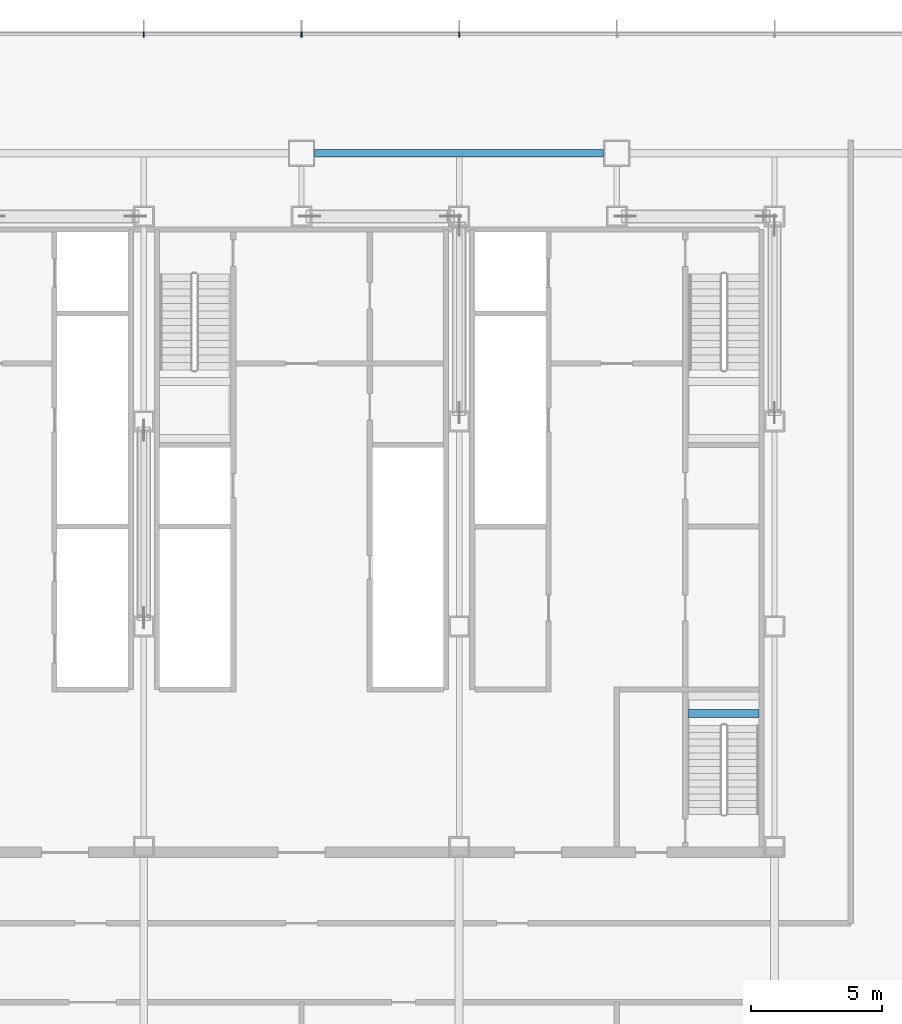
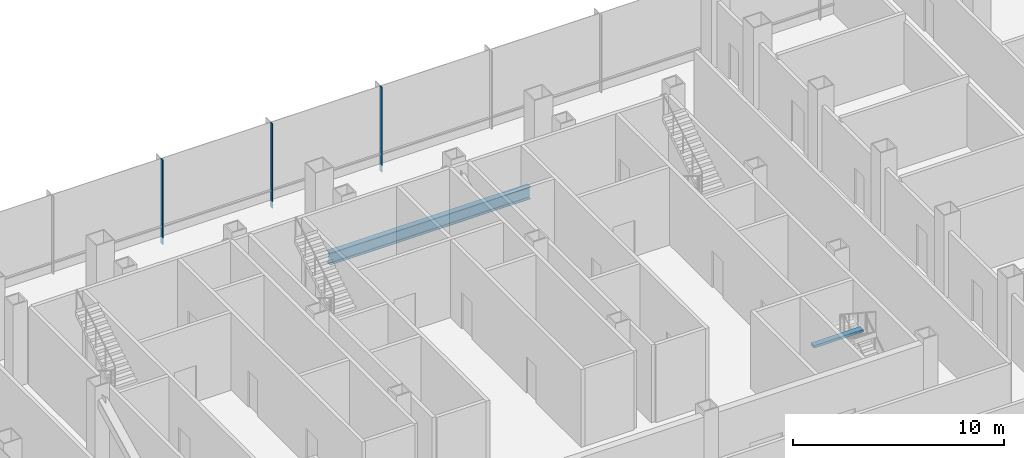
# One storey, part 14 of 34: 3 members, 2 beams, 1 element without a shape of its own.
"""IFC4 building model written with IfcOpenShell, lengths in metres."""

import ifcopenshell
import ifcopenshell.guid

model = None  # the IFC model being written
_history = None  # IfcOwnerHistory: only IFC2X3 demands one
_inside = {}  # id of a spatial element -> (the spatial element, [elements in it])
_under = {}  # id of a project, library or spatial element -> (it, [spatial elements below it])
_declared = {}  # id of a project -> (the project, [libraries it declares])
_typed = {}  # id of a type object -> (the type object, [elements of that type])
_made_of = {}  # id of a material, layer set ... -> (it, [elements and type objects made of it])


def new_model(schema):
    """Start an empty IFC model of exactly this schema.

    Asked for "IFC4X3", IfcOpenShell would pick the latest addendum, in which some entities
    have other attributes; the version numbers below select the first issue.
    IFC2X3 requires an IfcOwnerHistory on every rooted entity: one is made here for all.
    """
    global model, _history
    if schema == "IFC4X3":
        model = ifcopenshell.file(schema_version=(4, 3, 0, 0))
    else:
        model = ifcopenshell.file(schema=schema)
    _inside.clear()
    _under.clear()
    _declared.clear()
    _typed.clear()
    _made_of.clear()
    _history = None
    if model.schema == "IFC2X3":
        org = make("IfcOrganization", Name="unknown")
        user = make(
            "IfcPersonAndOrganization",
            ThePerson=make("IfcPerson", FamilyName="unknown"),
            TheOrganization=org,
        )
        app = make(
            "IfcApplication",
            ApplicationDeveloper=org,
            Version="unknown",
            ApplicationFullName="unknown",
            ApplicationIdentifier="unknown",
        )
        _history = make(
            "IfcOwnerHistory",
            OwningUser=user,
            OwningApplication=app,
            ChangeAction="ADDED",
            CreationDate=0,
        )
    return model


def make(cls, **values):
    """One entity of the class cls with the attributes given. An attribute that is None is left unset."""
    return model.create_entity(
        cls, **{name: value for name, value in values.items() if value is not None}
    )


def rooted(cls, **values):
    """An entity with a GlobalId (a new one), such as an element, a storey or a relation."""
    return make(cls, GlobalId=ifcopenshell.guid.new(), OwnerHistory=_history, **values)


def si_unit(unit_type, name, prefix=None):
    """IfcSIUnit, for example si_unit("LENGTHUNIT", "METRE", prefix="MILLI")."""
    return make("IfcSIUnit", UnitType=unit_type, Prefix=prefix, Name=name)


def assignment(units):
    """IfcUnitAssignment: the units of a project."""
    return None if units is None else make("IfcUnitAssignment", Units=units)


def point(xyz):
    """IfcCartesianPoint."""
    return None if xyz is None else make("IfcCartesianPoint", Coordinates=xyz)


def direction(xyz):
    """IfcDirection."""
    return None if xyz is None else make("IfcDirection", DirectionRatios=xyz)


def frame(location, z_axis=None, x_axis=None):
    """IfcAxis2Placement3D, a coordinate frame: its origin and axes. An axis left out is left unset."""
    return make(
        "IfcAxis2Placement3D",
        Location=point(location),
        Axis=direction(z_axis),
        RefDirection=direction(x_axis),
    )


def frame_2d(location, x_axis=None):
    """IfcAxis2Placement2D, a coordinate frame in the plane: its origin and x axis."""
    return make(
        "IfcAxis2Placement2D", Location=point(location), RefDirection=direction(x_axis)
    )


def origin():
    """The frame at (0, 0, 0) with its axes left unset."""
    return frame((0.0, 0.0, 0.0))


def origin_2d():
    """The frame at (0, 0) in the plane with its x axis left unset."""
    return frame_2d((0.0, 0.0))


def place(relative_to, where):
    """IfcLocalPlacement: puts the frame where relative to a parent placement (None: the world)."""
    return make(
        "IfcLocalPlacement", PlacementRelTo=relative_to, RelativePlacement=where
    )


def context(
    kind, dimensions, precision=None, world=None, true_north=None, identifier=None
):
    """IfcGeometricRepresentationContext, for example the 3D "Model" context."""
    return make(
        "IfcGeometricRepresentationContext",
        ContextIdentifier=identifier,
        ContextType=kind,
        CoordinateSpaceDimension=dimensions,
        Precision=precision,
        WorldCoordinateSystem=world,
        TrueNorth=true_north,
    )


def subcontext(parent, identifier, kind, view, scale=None):
    """IfcGeometricRepresentationSubContext, for example "Body" below "Model"."""
    return make(
        "IfcGeometricRepresentationSubContext",
        ContextIdentifier=identifier,
        ContextType=kind,
        ParentContext=parent,
        TargetScale=scale,
        TargetView=view,
    )


def project(units=None, contexts=None):
    """IfcProject with its units and contexts."""
    return rooted(
        "IfcProject",
        Name="project",
        RepresentationContexts=contexts,
        UnitsInContext=assignment(units),
    )


def spatial(cls, under=None, at=None, **own):
    """A site, building, storey or space (cls), placed at a placement, below another one or the project."""
    s = rooted(cls, ObjectPlacement=at, **own)
    if under is not None:
        _under.setdefault(under.id(), (under, []))[1].append(s)
    return s


def profile(cls, at=None, kind="AREA", **sizes):
    """A parametric profile (cls). Its sizes go by their IFC names, for example OverallWidth=200.0."""
    return make(cls, ProfileType=kind, Position=at, **sizes)


def rectangle(**sizes):
    """IfcRectangleProfileDef."""
    return profile("IfcRectangleProfileDef", **sizes)


def i_section(**sizes):
    """IfcIShapeProfileDef."""
    return profile("IfcIShapeProfileDef", **sizes)


def extrude(swept, where, along, depth):
    """IfcExtrudedAreaSolid: the profile swept, set in the frame where, extruded along a direction by depth."""
    return make(
        "IfcExtrudedAreaSolid",
        SweptArea=swept,
        Position=where,
        ExtrudedDirection=direction(along),
        Depth=depth,
    )


def shape(context_of_items, identifier, shape_type, items):
    """IfcShapeRepresentation: the items that make up one representation, for example the "Body"."""
    return make(
        "IfcShapeRepresentation",
        ContextOfItems=context_of_items,
        RepresentationIdentifier=identifier,
        RepresentationType=shape_type,
        Items=items,
    )


def material(Name=None, Category=None):
    """IfcMaterial."""
    return make("IfcMaterial", Name=Name, Category=Category)


def material_profile(
    of_material, cross_section, Name=None, Category=None, Priority=None
):
    """IfcMaterialProfile: a cross section and its material."""
    return make(
        "IfcMaterialProfile",
        Name=Name,
        Material=of_material,
        Profile=cross_section,
        Priority=Priority,
        Category=Category,
    )


def profile_set(profiles, Name=None, composite=None):
    """IfcMaterialProfileSet."""
    return make(
        "IfcMaterialProfileSet",
        Name=Name,
        MaterialProfiles=profiles,
        CompositeProfile=composite,
    )


def made_of(thing, what):
    """Note that an element or type object is made of a material, layer set ...; save() writes the relation."""
    if what is not None:
        _made_of.setdefault(what.id(), (what, []))[1].append(thing)
    return thing


def type_object(cls, material=None, **own):
    """A type object (cls), such as IfcWallType, which elements share."""
    return made_of(rooted(cls, **own), material)


def element(
    cls,
    number,
    at=None,
    inside=None,
    cuts=None,
    type_object=None,
    material=None,
    context=None,
    identifier="Body",
    shape_type=None,
    held_by="IfcProductDefinitionShape",
    body=None,
    shapes=None,
    **own,
):
    """One element of the class cls, such as IfcWall. Its Tag is "e" and its number.

    at: its placement. inside: the storey or other place that contains it. cuts: it is an
    opening in that element (IfcRelVoidsElement). A single representation is given by context,
    identifier, shape_type and body (its items); several are given by shapes. held_by: the class
    of the entity that holds the representations. save() writes the other relations.
    """
    e = rooted(cls, Tag="e%d" % number, ObjectPlacement=at, **own)
    if body is not None:
        shapes = [shape(context, identifier, shape_type, body)]
    if shapes is not None:
        e.Representation = make(held_by, Representations=shapes)
    if inside is not None:
        _inside.setdefault(inside.id(), (inside, []))[1].append(e)
    if cuts is not None:
        rooted(
            "IfcRelVoidsElement", RelatingBuildingElement=cuts, RelatedOpeningElement=e
        )
    if type_object is not None:
        _typed.setdefault(type_object.id(), (type_object, []))[1].append(e)
    return made_of(e, material)


def aggregate(whole, parts):
    """IfcRelAggregates: a whole, such as a stair, and the parts it consists of."""
    return rooted("IfcRelAggregates", RelatingObject=whole, RelatedObjects=parts)


def save(model, path):
    """Write the relations noted so far, then the file.

    IfcRelAggregates (storeys below a building ...), IfcRelContainedInSpatialStructure (elements
    in a storey), IfcRelDefinesByType, IfcRelAssociatesMaterial and IfcRelDeclares: one each for
    every whole, place, type object, material and project.
    """
    for whole, parts in _under.values():
        aggregate(whole, parts)
    for where, things in _inside.values():
        rooted(
            "IfcRelContainedInSpatialStructure",
            RelatedElements=things,
            RelatingStructure=where,
        )
    for kind, things in _typed.values():
        rooted("IfcRelDefinesByType", RelatedObjects=things, RelatingType=kind)
    for what, things in _made_of.values():
        rooted("IfcRelAssociatesMaterial", RelatedObjects=things, RelatingMaterial=what)
    for by, libraries in _declared.values():
        rooted("IfcRelDeclares", RelatingContext=by, RelatedDefinitions=libraries)
    model.write(path)


model = new_model("IFC4")

# Units and contexts
model_context = context("Model", 3, precision=1e-05, world=origin(), true_north=direction((0.0, 1.0)))
body_context = subcontext(model_context, "Body", "Model", "MODEL_VIEW")
ifc_project = project(units=[si_unit("LENGTHUNIT", "METRE"), si_unit("AREAUNIT", "SQUARE_METRE"), si_unit("VOLUMEUNIT", "CUBIC_METRE"), si_unit("PLANEANGLEUNIT", "RADIAN"), si_unit("MASSUNIT", "GRAM", prefix="KILO")], contexts=[model_context])

# Site, building, storey
site_placement = place(None, origin())
site = spatial("IfcSite", under=ifc_project, at=site_placement, CompositionType="ELEMENT")
building_placement = place(site_placement, origin())
building = spatial("IfcBuilding", under=site, at=building_placement, Name="Sorahane Residences", CompositionType="ELEMENT")
storey_placement = place(building_placement, frame((0.0, 0.0, 39.60009765625)))
storey = spatial("IfcBuildingStorey", under=building, at=storey_placement, Name="L06", CompositionType="ELEMENT", Elevation=39.60009765625)

# Curtain wall, members
ifc_material_1 = material(Name="Dark low-e glass and black anodised aluminium", Category="aluminium")
curtain_wall_type = type_object("IfcCurtainWallType", Name="Curtain wall CW-3 Podium unitised wall", PredefinedType="NOTDEFINED", material=ifc_material_1)
curtain_wall_placement = place(storey_placement, origin())
curtain_wall = element("IfcCurtainWall", 1, at=curtain_wall_placement, inside=storey, type_object=curtain_wall_type, Name="CW-3 curtain wall L06 N1", PredefinedType="NOTDEFINED")
ifc_material_2 = material(Name="Black anodised aluminium", Category="aluminium")
ifc_material_profile_1 = material_profile(ifc_material_2, rectangle(XDim=0.199951171875, YDim=0.050048828125, at=origin_2d()), Name="Curtain wall mullion CW-3 black anodised aluminium 50x200")
ifc_profile_set_1 = profile_set([ifc_material_profile_1], Name="Black anodised aluminium")
member_type = type_object("IfcMemberType", Name="Curtain wall mullion CW-3 black anodised aluminium 50x200", PredefinedType="MULLION", material=ifc_profile_set_1)
member_1_placement = place(storey_placement, frame((30.0, 52.52001953125, -0.400146484375), z_axis=(0.0, 0.0, 1.0), x_axis=(0.0, 1.0, 0.0)))
member_1 = element("IfcMember", 2, at=member_1_placement, type_object=member_type, Name="CW-3 mullion L06 N1.9", PredefinedType="MULLION", context=body_context, shape_type="SweptSolid", body=[
    extrude(rectangle(XDim=0.199951171875, YDim=0.050048828125, at=origin_2d()), origin(), (0.0, 0.0, 1.0), 4.900146484375),
])
member_2_placement = place(storey_placement, frame((24.0, 52.52001953125, -0.400146484375), z_axis=(0.0, 0.0, 1.0), x_axis=(0.0, 1.0, 0.0)))
member_2 = element("IfcMember", 3, at=member_2_placement, type_object=member_type, Name="CW-3 mullion L06 N1.10", PredefinedType="MULLION", context=body_context, shape_type="SweptSolid", body=[
    extrude(rectangle(XDim=0.199951171875, YDim=0.050048828125, at=origin_2d()), origin(), (0.0, 0.0, 1.0), 4.900146484375),
])
member_3_placement = place(storey_placement, frame((18.0, 52.52001953125, -0.400146484375), z_axis=(0.0, 0.0, 1.0), x_axis=(0.0, 1.0, 0.0)))
member_3 = element("IfcMember", 4, at=member_3_placement, type_object=member_type, Name="CW-3 mullion L06 N1.11", PredefinedType="MULLION", context=body_context, shape_type="SweptSolid", body=[
    extrude(rectangle(XDim=0.199951171875, YDim=0.050048828125, at=origin_2d()), origin(), (0.0, 0.0, 1.0), 4.900146484375),
])
aggregate(curtain_wall, [member_1, member_2, member_3])

# Beams
ifc_material_3 = material(Name="Concrete C40", Category="concrete")
ifc_material_profile_2 = material_profile(ifc_material_3, rectangle(XDim=0.300048828125, YDim=0.139892578125, at=origin_2d()), Name="300x140")
ifc_profile_set_2 = profile_set([ifc_material_profile_2], Name="Concrete C40")
beam_type_1 = type_object("IfcBeamType", Name="RC landing beam 300 x 140 Concrete C40", PredefinedType="BEAM", material=ifc_profile_set_2)
beam_1_placement = place(storey_placement, frame((38.699951171875, 26.679931640625, 2.1298828125), z_axis=(1.0, 0.0, 0.0), x_axis=(0.0, 1.0, 0.0)))
element("IfcBeam", 5, at=beam_1_placement, inside=storey, type_object=beam_type_1, Name="Landing beam", PredefinedType="BEAM", context=body_context, shape_type="SweptSolid", body=[
    extrude(rectangle(XDim=0.300048828125, YDim=0.139892578125, at=origin_2d()), origin(), (0.0, 0.0, 1.0), 2.699951171875),
])
ifc_material_4 = material(Name="Steel Q355B", Category="steel")
ifc_material_profile_3 = material_profile(ifc_material_4, i_section(OverallWidth=0.300048828125, OverallDepth=0.699951171875, WebThickness=0.012939453125, FlangeThickness=0.02392578125, FilletRadius=0.028076171875, at=origin_2d()), Name="HN 700x300x13x24")
ifc_profile_set_3 = profile_set([ifc_material_profile_3], Name="Steel Q355B")
beam_type_2 = type_object("IfcBeamType", Name="Steel floor beam HN 700x300x13x24 Q355B", PredefinedType="BEAM", material=ifc_profile_set_3)
beam_2_placement = place(storey_placement, frame((24.5, 48.0, -0.75), z_axis=(1.0, 0.0, 0.0), x_axis=(0.0, 1.0, 0.0)))
element("IfcBeam", 6, at=beam_2_placement, inside=storey, type_object=beam_type_2, Name="Beam L06 020", PredefinedType="BEAM", context=body_context, shape_type="SweptSolid", body=[
    extrude(i_section(OverallWidth=0.300048828125, OverallDepth=0.699951171875, WebThickness=0.012939453125, FlangeThickness=0.02392578125, FilletRadius=0.028076171875, at=origin_2d()), origin(), (0.0, 0.0, 1.0), 11.0),
])

save(model, "model.ifc")
